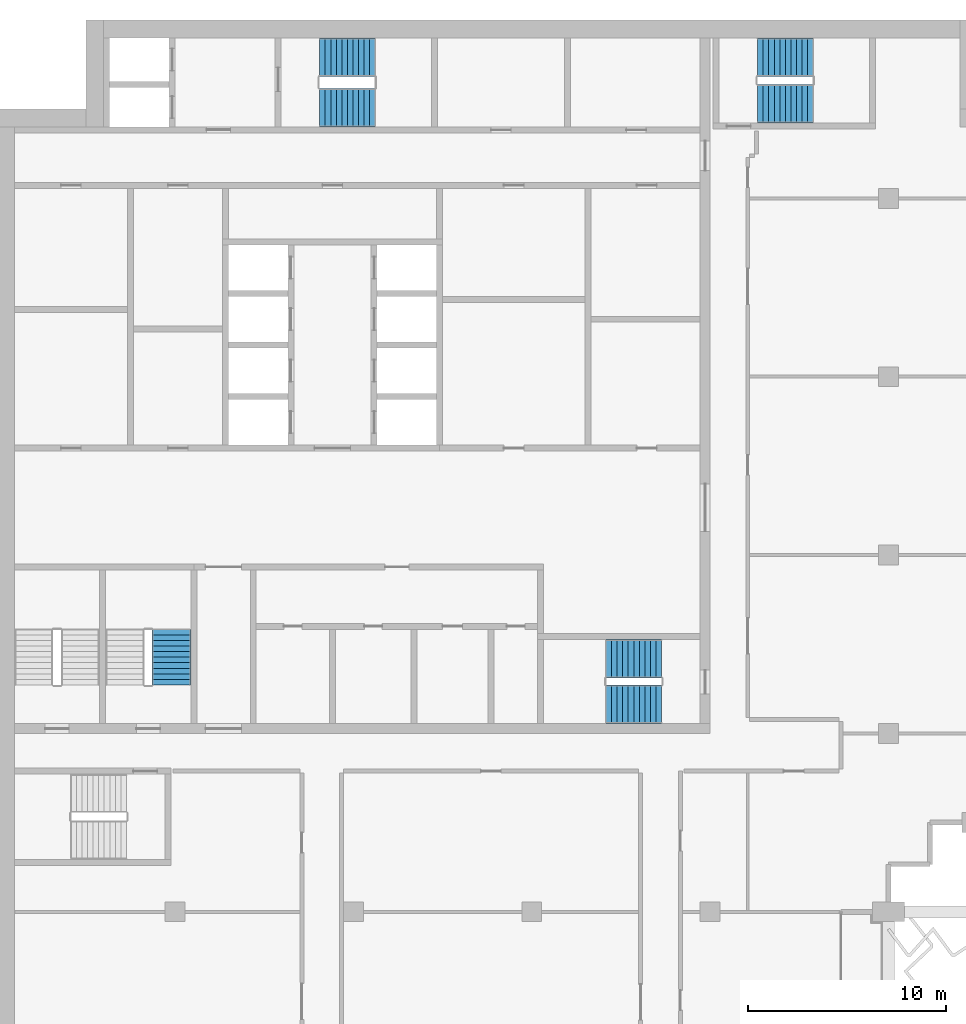
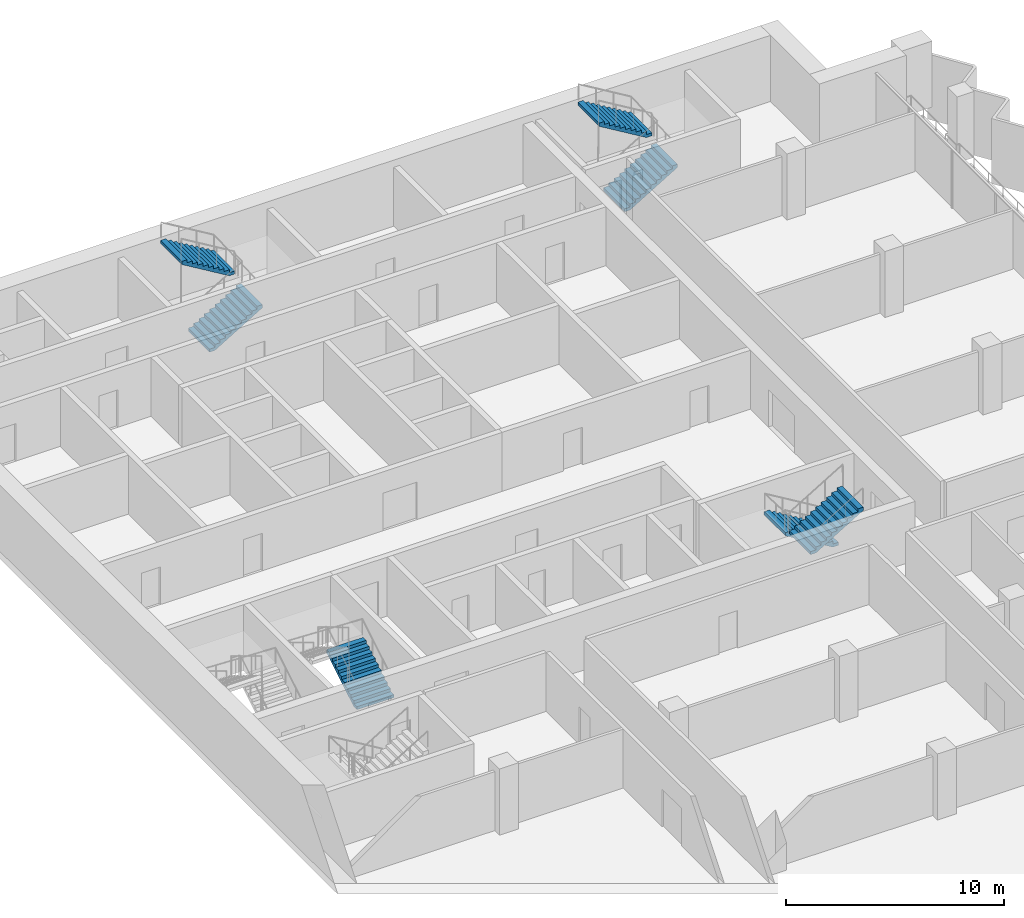
# One storey, part 13 of 17: 7 stair flights, 4 elements without a shape of their own.
"""IFC4 building model written with IfcOpenShell, lengths in metres."""

from ifc_helpers import new_model, si_unit, direction, frame, origin, place, context, subcontext, project, spatial, polyline, outline, extrude, material, type_object, element, aggregate, save


model = new_model("IFC4")

# Units and contexts
model_context = context("Model", 3, precision=1e-05, world=origin(), true_north=direction((0.0, 1.0)))
body_context = subcontext(model_context, "Body", "Model", "MODEL_VIEW")
ifc_project = project(units=[si_unit("LENGTHUNIT", "METRE"), si_unit("AREAUNIT", "SQUARE_METRE"), si_unit("VOLUMEUNIT", "CUBIC_METRE"), si_unit("PLANEANGLEUNIT", "RADIAN"), si_unit("MASSUNIT", "GRAM", prefix="KILO")], contexts=[model_context])

# Site, building, storey
site_placement = place(None, origin())
site = spatial("IfcSite", under=ifc_project, at=site_placement, CompositionType="ELEMENT")
building_placement = place(site_placement, origin())
building = spatial("IfcBuilding", under=site, at=building_placement, Name="Hunhe Ridgeline Campus", CompositionType="ELEMENT")
storey_placement = place(building_placement, frame((0.0, 0.0, 265.10009765625)))
storey = spatial("IfcBuildingStorey", under=building, at=storey_placement, Name="L68", CompositionType="ELEMENT", Elevation=265.10009765625)

# Stair, stair flights
ifc_material = material(Name="Concrete C40", Category="concrete")
stair_type = type_object("IfcStairType", Name="Reinforced concrete dog-leg stair 1950 Concrete C40", PredefinedType="HALF_TURN_STAIR", material=ifc_material)
stair_1_placement = place(storey_placement, origin())
stair_1 = element("IfcStair", 1, at=stair_1_placement, inside=storey, type_object=stair_type, Name="L68 S1", PredefinedType="HALF_TURN_STAIR")
stair_flight_type = type_object("IfcStairFlightType", Name="Reinforced concrete stair flight 1950 Concrete C40", PredefinedType="STRAIGHT", material=ifc_material)
stair_flight_1_placement = place(storey_placement, frame((16.300048828125, 94.574951171875, 0.0), z_axis=(0.0, 0.0, 1.0), x_axis=(1.0, 0.0, 0.0)))
stair_flight_1 = element("IfcStairFlight", 2, at=stair_flight_1_placement, type_object=stair_flight_type, Name="ST1 flight 1", NumberOfRisers=11, NumberOfTreads=10, PredefinedType="STRAIGHT", RiserHeight=0.168181818, TreadLength=0.28, context=body_context, shape_type="SweptSolid", body=[
    extrude(outline(polyline([(0.0, 0.0), (0.0, 0.168212890625), (0.280029296875, 0.168212890625), (0.280029296875, 0.33642578125), (0.56005859375, 0.33642578125), (0.56005859375, 0.504638671875), (0.840087890625, 0.504638671875), (0.840087890625, 0.672607421875), (1.1201171875, 0.672607421875), (1.1201171875, 0.8408203125), (1.39990234375, 0.8408203125), (1.39990234375, 1.009033203125), (1.679931640625, 1.009033203125), (1.679931640625, 1.17724609375), (1.9599609375, 1.17724609375), (1.9599609375, 1.345458984375), (2.239990234375, 1.345458984375), (2.239990234375, 1.513671875), (2.52001953125, 1.513671875), (2.52001953125, 1.681884765625), (2.800048828125, 1.681884765625), (2.800048828125, 1.85009765625), (2.800048828125, 1.5068359375), (0.291015625, 0.0), (0.0, 0.0)])), frame((0.0, 0.97509765625, 0.0), z_axis=(0.0, -1.0, 0.0), x_axis=(1.0, 0.0, 0.0)), (0.0, 0.0, 1.0), 1.949951171875),
    extrude(outline(polyline([(0.030029296875, 0.030029296875), (0.030029296875, 0.13818359375), (0.31005859375, 0.13818359375), (0.31005859375, 0.306396484375), (0.590087890625, 0.306396484375), (0.590087890625, 0.474609375), (0.8701171875, 0.474609375), (0.8701171875, 0.642578125), (1.14990234375, 0.642578125), (1.14990234375, 0.810791015625), (1.429931640625, 0.810791015625), (1.429931640625, 0.97900390625), (1.7099609375, 0.97900390625), (1.7099609375, 1.147216796875), (1.989990234375, 1.147216796875), (1.989990234375, 1.3154296875), (2.27001953125, 1.3154296875), (2.27001953125, 1.483642578125), (2.550048828125, 1.483642578125), (2.550048828125, 1.65185546875), (2.77001953125, 1.65185546875), (2.77001953125, 1.52392578125), (0.28271484375, 0.030029296875), (0.030029296875, 0.030029296875)])), frame((0.0, -0.070068359375, 0.0), z_axis=(0.0, -1.0, 0.0), x_axis=(1.0, 0.0, 0.0)), (0.0, 0.0, 1.0), 0.019775390625),
    extrude(outline(polyline([(0.030029296875, 0.030029296875), (0.030029296875, 0.13818359375), (0.31005859375, 0.13818359375), (0.31005859375, 0.306396484375), (0.590087890625, 0.306396484375), (0.590087890625, 0.474609375), (0.8701171875, 0.474609375), (0.8701171875, 0.642578125), (1.14990234375, 0.642578125), (1.14990234375, 0.810791015625), (1.429931640625, 0.810791015625), (1.429931640625, 0.97900390625), (1.7099609375, 0.97900390625), (1.7099609375, 1.147216796875), (1.989990234375, 1.147216796875), (1.989990234375, 1.3154296875), (2.27001953125, 1.3154296875), (2.27001953125, 1.483642578125), (2.550048828125, 1.483642578125), (2.550048828125, 1.65185546875), (2.77001953125, 1.65185546875), (2.77001953125, 1.52392578125), (0.28271484375, 0.030029296875), (0.030029296875, 0.030029296875)])), frame((0.0, 0.010009765625, 0.0), z_axis=(0.0, -1.0, 0.0), x_axis=(1.0, 0.0, 0.0)), (0.0, 0.0, 1.0), 0.019775390625),
    extrude(outline(polyline([(0.030029296875, 0.030029296875), (0.030029296875, 0.13818359375), (0.31005859375, 0.13818359375), (0.31005859375, 0.306396484375), (0.590087890625, 0.306396484375), (0.590087890625, 0.474609375), (0.8701171875, 0.474609375), (0.8701171875, 0.642578125), (1.14990234375, 0.642578125), (1.14990234375, 0.810791015625), (1.429931640625, 0.810791015625), (1.429931640625, 0.97900390625), (1.7099609375, 0.97900390625), (1.7099609375, 1.147216796875), (1.989990234375, 1.147216796875), (1.989990234375, 1.3154296875), (2.27001953125, 1.3154296875), (2.27001953125, 1.483642578125), (2.550048828125, 1.483642578125), (2.550048828125, 1.65185546875), (2.77001953125, 1.65185546875), (2.77001953125, 1.52392578125), (0.28271484375, 0.030029296875), (0.030029296875, 0.030029296875)])), frame((0.0, 0.090087890625, 0.0), z_axis=(0.0, -1.0, 0.0), x_axis=(1.0, 0.0, 0.0)), (0.0, 0.0, 1.0), 0.019775390625),
])
stair_flight_2_placement = place(storey_placement, frame((19.10009765625, 97.125, 1.849853515625), z_axis=(0.0, 0.0, 1.0), x_axis=(-1.0, 0.0, 0.0)))
stair_flight_2 = element("IfcStairFlight", 3, at=stair_flight_2_placement, type_object=stair_flight_type, Name="ST1 flight 2", NumberOfRisers=11, NumberOfTreads=10, PredefinedType="STRAIGHT", RiserHeight=0.168181818, TreadLength=0.28, context=body_context, shape_type="SweptSolid", body=[
    extrude(outline(polyline([(0.0, 0.0), (0.0, 0.168212890625), (0.280029296875, 0.168212890625), (0.280029296875, 0.33642578125), (0.56005859375, 0.33642578125), (0.56005859375, 0.504638671875), (0.840087890625, 0.504638671875), (0.840087890625, 0.672607421875), (1.1201171875, 0.672607421875), (1.1201171875, 0.8408203125), (1.39990234375, 0.8408203125), (1.39990234375, 1.009033203125), (1.679931640625, 1.009033203125), (1.679931640625, 1.17724609375), (1.9599609375, 1.17724609375), (1.9599609375, 1.345458984375), (2.239990234375, 1.345458984375), (2.239990234375, 1.513671875), (2.52001953125, 1.513671875), (2.52001953125, 1.681884765625), (2.800048828125, 1.681884765625), (2.800048828125, 1.85009765625), (2.800048828125, 1.5068359375), (0.291015625, 0.0), (0.0, 0.0)])), frame((0.0, 0.97509765625, 0.0), z_axis=(0.0, -1.0, 0.0), x_axis=(1.0, 0.0, 0.0)), (0.0, 0.0, 1.0), 1.949951171875),
    extrude(outline(polyline([(0.030029296875, 0.030029296875), (0.030029296875, 0.13818359375), (0.31005859375, 0.13818359375), (0.31005859375, 0.306396484375), (0.590087890625, 0.306396484375), (0.590087890625, 0.474609375), (0.8701171875, 0.474609375), (0.8701171875, 0.642578125), (1.14990234375, 0.642578125), (1.14990234375, 0.810791015625), (1.429931640625, 0.810791015625), (1.429931640625, 0.97900390625), (1.7099609375, 0.97900390625), (1.7099609375, 1.147216796875), (1.989990234375, 1.147216796875), (1.989990234375, 1.3154296875), (2.27001953125, 1.3154296875), (2.27001953125, 1.483642578125), (2.550048828125, 1.483642578125), (2.550048828125, 1.65185546875), (2.77001953125, 1.65185546875), (2.77001953125, 1.52392578125), (0.28271484375, 0.030029296875), (0.030029296875, 0.030029296875)])), frame((0.0, -0.070068359375, 0.0), z_axis=(0.0, -1.0, 0.0), x_axis=(1.0, 0.0, 0.0)), (0.0, 0.0, 1.0), 0.019775390625),
    extrude(outline(polyline([(0.030029296875, 0.030029296875), (0.030029296875, 0.13818359375), (0.31005859375, 0.13818359375), (0.31005859375, 0.306396484375), (0.590087890625, 0.306396484375), (0.590087890625, 0.474609375), (0.8701171875, 0.474609375), (0.8701171875, 0.642578125), (1.14990234375, 0.642578125), (1.14990234375, 0.810791015625), (1.429931640625, 0.810791015625), (1.429931640625, 0.97900390625), (1.7099609375, 0.97900390625), (1.7099609375, 1.147216796875), (1.989990234375, 1.147216796875), (1.989990234375, 1.3154296875), (2.27001953125, 1.3154296875), (2.27001953125, 1.483642578125), (2.550048828125, 1.483642578125), (2.550048828125, 1.65185546875), (2.77001953125, 1.65185546875), (2.77001953125, 1.52392578125), (0.28271484375, 0.030029296875), (0.030029296875, 0.030029296875)])), frame((0.0, 0.010009765625, 0.0), z_axis=(0.0, -1.0, 0.0), x_axis=(1.0, 0.0, 0.0)), (0.0, 0.0, 1.0), 0.019775390625),
    extrude(outline(polyline([(0.030029296875, 0.030029296875), (0.030029296875, 0.13818359375), (0.31005859375, 0.13818359375), (0.31005859375, 0.306396484375), (0.590087890625, 0.306396484375), (0.590087890625, 0.474609375), (0.8701171875, 0.474609375), (0.8701171875, 0.642578125), (1.14990234375, 0.642578125), (1.14990234375, 0.810791015625), (1.429931640625, 0.810791015625), (1.429931640625, 0.97900390625), (1.7099609375, 0.97900390625), (1.7099609375, 1.147216796875), (1.989990234375, 1.147216796875), (1.989990234375, 1.3154296875), (2.27001953125, 1.3154296875), (2.27001953125, 1.483642578125), (2.550048828125, 1.483642578125), (2.550048828125, 1.65185546875), (2.77001953125, 1.65185546875), (2.77001953125, 1.52392578125), (0.28271484375, 0.030029296875), (0.030029296875, 0.030029296875)])), frame((0.0, 0.090087890625, 0.0), z_axis=(0.0, -1.0, 0.0), x_axis=(1.0, 0.0, 0.0)), (0.0, 0.0, 1.0), 0.019775390625),
])
aggregate(stair_1, [stair_flight_1, stair_flight_2])

stair_2_placement = place(storey_placement, origin())
stair_2 = element("IfcStair", 4, at=stair_2_placement, inside=storey, type_object=stair_type, Name="L68 S2", PredefinedType="HALF_TURN_STAIR")
stair_flight_3_placement = place(storey_placement, frame((33.550048828125, 66.77490234375, 0.0), z_axis=(0.0, 0.0, 1.0), x_axis=(-1.0, 0.0, 0.0)))
stair_flight_3 = element("IfcStairFlight", 5, at=stair_flight_3_placement, type_object=stair_flight_type, Name="ST2 flight 1", NumberOfRisers=11, NumberOfTreads=10, PredefinedType="STRAIGHT", RiserHeight=0.168181818, TreadLength=0.28, context=body_context, shape_type="SweptSolid", body=[
    extrude(outline(polyline([(0.0, 0.0), (0.0, 0.168212890625), (0.280029296875, 0.168212890625), (0.280029296875, 0.33642578125), (0.56005859375, 0.33642578125), (0.56005859375, 0.504638671875), (0.840087890625, 0.504638671875), (0.840087890625, 0.672607421875), (1.1201171875, 0.672607421875), (1.1201171875, 0.8408203125), (1.39990234375, 0.8408203125), (1.39990234375, 1.009033203125), (1.679931640625, 1.009033203125), (1.679931640625, 1.17724609375), (1.9599609375, 1.17724609375), (1.9599609375, 1.345458984375), (2.239990234375, 1.345458984375), (2.239990234375, 1.513671875), (2.52001953125, 1.513671875), (2.52001953125, 1.681884765625), (2.800048828125, 1.681884765625), (2.800048828125, 1.85009765625), (2.800048828125, 1.5068359375), (0.291015625, 0.0), (0.0, 0.0)])), frame((0.0, 0.97509765625, 0.0), z_axis=(0.0, -1.0, 0.0), x_axis=(1.0, 0.0, 0.0)), (0.0, 0.0, 1.0), 1.949951171875),
    extrude(outline(polyline([(0.030029296875, 0.030029296875), (0.030029296875, 0.13818359375), (0.31005859375, 0.13818359375), (0.31005859375, 0.306396484375), (0.590087890625, 0.306396484375), (0.590087890625, 0.474609375), (0.8701171875, 0.474609375), (0.8701171875, 0.642578125), (1.14990234375, 0.642578125), (1.14990234375, 0.810791015625), (1.429931640625, 0.810791015625), (1.429931640625, 0.97900390625), (1.7099609375, 0.97900390625), (1.7099609375, 1.147216796875), (1.989990234375, 1.147216796875), (1.989990234375, 1.3154296875), (2.27001953125, 1.3154296875), (2.27001953125, 1.483642578125), (2.550048828125, 1.483642578125), (2.550048828125, 1.65185546875), (2.77001953125, 1.65185546875), (2.77001953125, 1.52392578125), (0.28271484375, 0.030029296875), (0.030029296875, 0.030029296875)])), frame((0.0, -0.070068359375, 0.0), z_axis=(0.0, -1.0, 0.0), x_axis=(1.0, 0.0, 0.0)), (0.0, 0.0, 1.0), 0.019775390625),
    extrude(outline(polyline([(0.030029296875, 0.030029296875), (0.030029296875, 0.13818359375), (0.31005859375, 0.13818359375), (0.31005859375, 0.306396484375), (0.590087890625, 0.306396484375), (0.590087890625, 0.474609375), (0.8701171875, 0.474609375), (0.8701171875, 0.642578125), (1.14990234375, 0.642578125), (1.14990234375, 0.810791015625), (1.429931640625, 0.810791015625), (1.429931640625, 0.97900390625), (1.7099609375, 0.97900390625), (1.7099609375, 1.147216796875), (1.989990234375, 1.147216796875), (1.989990234375, 1.3154296875), (2.27001953125, 1.3154296875), (2.27001953125, 1.483642578125), (2.550048828125, 1.483642578125), (2.550048828125, 1.65185546875), (2.77001953125, 1.65185546875), (2.77001953125, 1.52392578125), (0.28271484375, 0.030029296875), (0.030029296875, 0.030029296875)])), frame((0.0, 0.010009765625, 0.0), z_axis=(0.0, -1.0, 0.0), x_axis=(1.0, 0.0, 0.0)), (0.0, 0.0, 1.0), 0.019775390625),
    extrude(outline(polyline([(0.030029296875, 0.030029296875), (0.030029296875, 0.13818359375), (0.31005859375, 0.13818359375), (0.31005859375, 0.306396484375), (0.590087890625, 0.306396484375), (0.590087890625, 0.474609375), (0.8701171875, 0.474609375), (0.8701171875, 0.642578125), (1.14990234375, 0.642578125), (1.14990234375, 0.810791015625), (1.429931640625, 0.810791015625), (1.429931640625, 0.97900390625), (1.7099609375, 0.97900390625), (1.7099609375, 1.147216796875), (1.989990234375, 1.147216796875), (1.989990234375, 1.3154296875), (2.27001953125, 1.3154296875), (2.27001953125, 1.483642578125), (2.550048828125, 1.483642578125), (2.550048828125, 1.65185546875), (2.77001953125, 1.65185546875), (2.77001953125, 1.52392578125), (0.28271484375, 0.030029296875), (0.030029296875, 0.030029296875)])), frame((0.0, 0.090087890625, 0.0), z_axis=(0.0, -1.0, 0.0), x_axis=(1.0, 0.0, 0.0)), (0.0, 0.0, 1.0), 0.019775390625),
])
stair_flight_4_placement = place(storey_placement, frame((30.75, 64.47509765625, 1.849853515625), z_axis=(0.0, 0.0, 1.0), x_axis=(1.0, 0.0, 0.0)))
stair_flight_4 = element("IfcStairFlight", 6, at=stair_flight_4_placement, type_object=stair_flight_type, Name="ST2 flight 2", NumberOfRisers=11, NumberOfTreads=10, PredefinedType="STRAIGHT", RiserHeight=0.168181818, TreadLength=0.28, context=body_context, shape_type="SweptSolid", body=[
    extrude(outline(polyline([(0.0, 0.0), (0.0, 0.168212890625), (0.280029296875, 0.168212890625), (0.280029296875, 0.33642578125), (0.56005859375, 0.33642578125), (0.56005859375, 0.504638671875), (0.840087890625, 0.504638671875), (0.840087890625, 0.672607421875), (1.1201171875, 0.672607421875), (1.1201171875, 0.8408203125), (1.39990234375, 0.8408203125), (1.39990234375, 1.009033203125), (1.679931640625, 1.009033203125), (1.679931640625, 1.17724609375), (1.9599609375, 1.17724609375), (1.9599609375, 1.345458984375), (2.239990234375, 1.345458984375), (2.239990234375, 1.513671875), (2.52001953125, 1.513671875), (2.52001953125, 1.681884765625), (2.800048828125, 1.681884765625), (2.800048828125, 1.85009765625), (2.800048828125, 1.5068359375), (0.291015625, 0.0), (0.0, 0.0)])), frame((0.0, 0.97509765625, 0.0), z_axis=(0.0, -1.0, 0.0), x_axis=(1.0, 0.0, 0.0)), (0.0, 0.0, 1.0), 1.949951171875),
    extrude(outline(polyline([(0.030029296875, 0.030029296875), (0.030029296875, 0.13818359375), (0.31005859375, 0.13818359375), (0.31005859375, 0.306396484375), (0.590087890625, 0.306396484375), (0.590087890625, 0.474609375), (0.8701171875, 0.474609375), (0.8701171875, 0.642578125), (1.14990234375, 0.642578125), (1.14990234375, 0.810791015625), (1.429931640625, 0.810791015625), (1.429931640625, 0.97900390625), (1.7099609375, 0.97900390625), (1.7099609375, 1.147216796875), (1.989990234375, 1.147216796875), (1.989990234375, 1.3154296875), (2.27001953125, 1.3154296875), (2.27001953125, 1.483642578125), (2.550048828125, 1.483642578125), (2.550048828125, 1.65185546875), (2.77001953125, 1.65185546875), (2.77001953125, 1.52392578125), (0.28271484375, 0.030029296875), (0.030029296875, 0.030029296875)])), frame((0.0, -0.070068359375, 0.0), z_axis=(0.0, -1.0, 0.0), x_axis=(1.0, 0.0, 0.0)), (0.0, 0.0, 1.0), 0.019775390625),
    extrude(outline(polyline([(0.030029296875, 0.030029296875), (0.030029296875, 0.13818359375), (0.31005859375, 0.13818359375), (0.31005859375, 0.306396484375), (0.590087890625, 0.306396484375), (0.590087890625, 0.474609375), (0.8701171875, 0.474609375), (0.8701171875, 0.642578125), (1.14990234375, 0.642578125), (1.14990234375, 0.810791015625), (1.429931640625, 0.810791015625), (1.429931640625, 0.97900390625), (1.7099609375, 0.97900390625), (1.7099609375, 1.147216796875), (1.989990234375, 1.147216796875), (1.989990234375, 1.3154296875), (2.27001953125, 1.3154296875), (2.27001953125, 1.483642578125), (2.550048828125, 1.483642578125), (2.550048828125, 1.65185546875), (2.77001953125, 1.65185546875), (2.77001953125, 1.52392578125), (0.28271484375, 0.030029296875), (0.030029296875, 0.030029296875)])), frame((0.0, 0.010009765625, 0.0), z_axis=(0.0, -1.0, 0.0), x_axis=(1.0, 0.0, 0.0)), (0.0, 0.0, 1.0), 0.019775390625),
    extrude(outline(polyline([(0.030029296875, 0.030029296875), (0.030029296875, 0.13818359375), (0.31005859375, 0.13818359375), (0.31005859375, 0.306396484375), (0.590087890625, 0.306396484375), (0.590087890625, 0.474609375), (0.8701171875, 0.474609375), (0.8701171875, 0.642578125), (1.14990234375, 0.642578125), (1.14990234375, 0.810791015625), (1.429931640625, 0.810791015625), (1.429931640625, 0.97900390625), (1.7099609375, 0.97900390625), (1.7099609375, 1.147216796875), (1.989990234375, 1.147216796875), (1.989990234375, 1.3154296875), (2.27001953125, 1.3154296875), (2.27001953125, 1.483642578125), (2.550048828125, 1.483642578125), (2.550048828125, 1.65185546875), (2.77001953125, 1.65185546875), (2.77001953125, 1.52392578125), (0.28271484375, 0.030029296875), (0.030029296875, 0.030029296875)])), frame((0.0, 0.090087890625, 0.0), z_axis=(0.0, -1.0, 0.0), x_axis=(1.0, 0.0, 0.0)), (0.0, 0.0, 1.0), 0.019775390625),
])
aggregate(stair_2, [stair_flight_3, stair_flight_4])

# Stair, stair flight
stair_3_placement = place(storey_placement, origin())
stair_3 = element("IfcStair", 7, at=stair_3_placement, inside=storey, type_object=stair_type, Name="L68 S4", PredefinedType="HALF_TURN_STAIR")
stair_flight_5_placement = place(storey_placement, frame((8.824951171875, 65.449951171875, 0.0), z_axis=(0.0, 0.0, 1.0), x_axis=(0.0, 1.0, 0.0)))
stair_flight_5 = element("IfcStairFlight", 8, at=stair_flight_5_placement, type_object=stair_flight_type, Name="ST4 flight 1", NumberOfRisers=11, NumberOfTreads=10, PredefinedType="STRAIGHT", RiserHeight=0.168181818, TreadLength=0.28, context=body_context, shape_type="SweptSolid", body=[
    extrude(outline(polyline([(0.0, 0.0), (0.0, 0.168212890625), (0.280029296875, 0.168212890625), (0.280029296875, 0.33642578125), (0.56005859375, 0.33642578125), (0.56005859375, 0.504638671875), (0.840087890625, 0.504638671875), (0.840087890625, 0.672607421875), (1.1201171875, 0.672607421875), (1.1201171875, 0.8408203125), (1.39990234375, 0.8408203125), (1.39990234375, 1.009033203125), (1.679931640625, 1.009033203125), (1.679931640625, 1.17724609375), (1.9599609375, 1.17724609375), (1.9599609375, 1.345458984375), (2.239990234375, 1.345458984375), (2.239990234375, 1.513671875), (2.52001953125, 1.513671875), (2.52001953125, 1.681884765625), (2.800048828125, 1.681884765625), (2.800048828125, 1.85009765625), (2.800048828125, 1.5068359375), (0.291015625, 0.0), (0.0, 0.0)])), frame((0.0, 0.97509765625, 0.0), z_axis=(0.0, -1.0, 0.0), x_axis=(1.0, 0.0, 0.0)), (0.0, 0.0, 1.0), 1.949951171875),
    extrude(outline(polyline([(0.030029296875, 0.030029296875), (0.030029296875, 0.13818359375), (0.31005859375, 0.13818359375), (0.31005859375, 0.306396484375), (0.590087890625, 0.306396484375), (0.590087890625, 0.474609375), (0.8701171875, 0.474609375), (0.8701171875, 0.642578125), (1.14990234375, 0.642578125), (1.14990234375, 0.810791015625), (1.429931640625, 0.810791015625), (1.429931640625, 0.97900390625), (1.7099609375, 0.97900390625), (1.7099609375, 1.147216796875), (1.989990234375, 1.147216796875), (1.989990234375, 1.3154296875), (2.27001953125, 1.3154296875), (2.27001953125, 1.483642578125), (2.550048828125, 1.483642578125), (2.550048828125, 1.65185546875), (2.77001953125, 1.65185546875), (2.77001953125, 1.52392578125), (0.28271484375, 0.030029296875), (0.030029296875, 0.030029296875)])), frame((0.0, -0.070068359375, 0.0), z_axis=(0.0, -1.0, 0.0), x_axis=(1.0, 0.0, 0.0)), (0.0, 0.0, 1.0), 0.019775390625),
    extrude(outline(polyline([(0.030029296875, 0.030029296875), (0.030029296875, 0.13818359375), (0.31005859375, 0.13818359375), (0.31005859375, 0.306396484375), (0.590087890625, 0.306396484375), (0.590087890625, 0.474609375), (0.8701171875, 0.474609375), (0.8701171875, 0.642578125), (1.14990234375, 0.642578125), (1.14990234375, 0.810791015625), (1.429931640625, 0.810791015625), (1.429931640625, 0.97900390625), (1.7099609375, 0.97900390625), (1.7099609375, 1.147216796875), (1.989990234375, 1.147216796875), (1.989990234375, 1.3154296875), (2.27001953125, 1.3154296875), (2.27001953125, 1.483642578125), (2.550048828125, 1.483642578125), (2.550048828125, 1.65185546875), (2.77001953125, 1.65185546875), (2.77001953125, 1.52392578125), (0.28271484375, 0.030029296875), (0.030029296875, 0.030029296875)])), frame((0.0, 0.010009765625, 0.0), z_axis=(0.0, -1.0, 0.0), x_axis=(1.0, 0.0, 0.0)), (0.0, 0.0, 1.0), 0.019775390625),
    extrude(outline(polyline([(0.030029296875, 0.030029296875), (0.030029296875, 0.13818359375), (0.31005859375, 0.13818359375), (0.31005859375, 0.306396484375), (0.590087890625, 0.306396484375), (0.590087890625, 0.474609375), (0.8701171875, 0.474609375), (0.8701171875, 0.642578125), (1.14990234375, 0.642578125), (1.14990234375, 0.810791015625), (1.429931640625, 0.810791015625), (1.429931640625, 0.97900390625), (1.7099609375, 0.97900390625), (1.7099609375, 1.147216796875), (1.989990234375, 1.147216796875), (1.989990234375, 1.3154296875), (2.27001953125, 1.3154296875), (2.27001953125, 1.483642578125), (2.550048828125, 1.483642578125), (2.550048828125, 1.65185546875), (2.77001953125, 1.65185546875), (2.77001953125, 1.52392578125), (0.28271484375, 0.030029296875), (0.030029296875, 0.030029296875)])), frame((0.0, 0.090087890625, 0.0), z_axis=(0.0, -1.0, 0.0), x_axis=(1.0, 0.0, 0.0)), (0.0, 0.0, 1.0), 0.019775390625),
])
aggregate(stair_3, [stair_flight_5])

# Stair, stair flights
stair_4_placement = place(storey_placement, origin())
stair_4 = element("IfcStair", 9, at=stair_4_placement, inside=storey, type_object=stair_type, Name="L68 E1", PredefinedType="HALF_TURN_STAIR")
stair_flight_6_placement = place(storey_placement, frame((38.39990234375, 94.77490234375, 0.0), z_axis=(0.0, 0.0, 1.0), x_axis=(1.0, 0.0, 0.0)))
stair_flight_6 = element("IfcStairFlight", 10, at=stair_flight_6_placement, type_object=stair_flight_type, Name="ST5 flight 1", NumberOfRisers=11, NumberOfTreads=10, PredefinedType="STRAIGHT", RiserHeight=0.168181818, TreadLength=0.28, context=body_context, shape_type="SweptSolid", body=[
    extrude(outline(polyline([(0.0, 0.0), (0.0, 0.168212890625), (0.280029296875, 0.168212890625), (0.280029296875, 0.33642578125), (0.56005859375, 0.33642578125), (0.56005859375, 0.504638671875), (0.840087890625, 0.504638671875), (0.840087890625, 0.672607421875), (1.1201171875, 0.672607421875), (1.1201171875, 0.8408203125), (1.39990234375, 0.8408203125), (1.39990234375, 1.009033203125), (1.679931640625, 1.009033203125), (1.679931640625, 1.17724609375), (1.9599609375, 1.17724609375), (1.9599609375, 1.345458984375), (2.239990234375, 1.345458984375), (2.239990234375, 1.513671875), (2.52001953125, 1.513671875), (2.52001953125, 1.681884765625), (2.800048828125, 1.681884765625), (2.800048828125, 1.85009765625), (2.800048828125, 1.5068359375), (0.291015625, 0.0), (0.0, 0.0)])), frame((0.0, 0.97509765625, 0.0), z_axis=(0.0, -1.0, 0.0), x_axis=(1.0, 0.0, 0.0)), (0.0, 0.0, 1.0), 1.949951171875),
    extrude(outline(polyline([(0.030029296875, 0.030029296875), (0.030029296875, 0.13818359375), (0.31005859375, 0.13818359375), (0.31005859375, 0.306396484375), (0.590087890625, 0.306396484375), (0.590087890625, 0.474609375), (0.8701171875, 0.474609375), (0.8701171875, 0.642578125), (1.14990234375, 0.642578125), (1.14990234375, 0.810791015625), (1.429931640625, 0.810791015625), (1.429931640625, 0.97900390625), (1.7099609375, 0.97900390625), (1.7099609375, 1.147216796875), (1.989990234375, 1.147216796875), (1.989990234375, 1.3154296875), (2.27001953125, 1.3154296875), (2.27001953125, 1.483642578125), (2.550048828125, 1.483642578125), (2.550048828125, 1.65185546875), (2.77001953125, 1.65185546875), (2.77001953125, 1.52392578125), (0.28271484375, 0.030029296875), (0.030029296875, 0.030029296875)])), frame((0.0, -0.070068359375, 0.0), z_axis=(0.0, -1.0, 0.0), x_axis=(1.0, 0.0, 0.0)), (0.0, 0.0, 1.0), 0.019775390625),
    extrude(outline(polyline([(0.030029296875, 0.030029296875), (0.030029296875, 0.13818359375), (0.31005859375, 0.13818359375), (0.31005859375, 0.306396484375), (0.590087890625, 0.306396484375), (0.590087890625, 0.474609375), (0.8701171875, 0.474609375), (0.8701171875, 0.642578125), (1.14990234375, 0.642578125), (1.14990234375, 0.810791015625), (1.429931640625, 0.810791015625), (1.429931640625, 0.97900390625), (1.7099609375, 0.97900390625), (1.7099609375, 1.147216796875), (1.989990234375, 1.147216796875), (1.989990234375, 1.3154296875), (2.27001953125, 1.3154296875), (2.27001953125, 1.483642578125), (2.550048828125, 1.483642578125), (2.550048828125, 1.65185546875), (2.77001953125, 1.65185546875), (2.77001953125, 1.52392578125), (0.28271484375, 0.030029296875), (0.030029296875, 0.030029296875)])), frame((0.0, 0.010009765625, 0.0), z_axis=(0.0, -1.0, 0.0), x_axis=(1.0, 0.0, 0.0)), (0.0, 0.0, 1.0), 0.019775390625),
    extrude(outline(polyline([(0.030029296875, 0.030029296875), (0.030029296875, 0.13818359375), (0.31005859375, 0.13818359375), (0.31005859375, 0.306396484375), (0.590087890625, 0.306396484375), (0.590087890625, 0.474609375), (0.8701171875, 0.474609375), (0.8701171875, 0.642578125), (1.14990234375, 0.642578125), (1.14990234375, 0.810791015625), (1.429931640625, 0.810791015625), (1.429931640625, 0.97900390625), (1.7099609375, 0.97900390625), (1.7099609375, 1.147216796875), (1.989990234375, 1.147216796875), (1.989990234375, 1.3154296875), (2.27001953125, 1.3154296875), (2.27001953125, 1.483642578125), (2.550048828125, 1.483642578125), (2.550048828125, 1.65185546875), (2.77001953125, 1.65185546875), (2.77001953125, 1.52392578125), (0.28271484375, 0.030029296875), (0.030029296875, 0.030029296875)])), frame((0.0, 0.090087890625, 0.0), z_axis=(0.0, -1.0, 0.0), x_axis=(1.0, 0.0, 0.0)), (0.0, 0.0, 1.0), 0.019775390625),
])
stair_flight_7_placement = place(storey_placement, frame((41.199951171875, 97.125, 1.849853515625), z_axis=(0.0, 0.0, 1.0), x_axis=(-1.0, 0.0, 0.0)))
stair_flight_7 = element("IfcStairFlight", 11, at=stair_flight_7_placement, type_object=stair_flight_type, Name="ST5 flight 2", NumberOfRisers=11, NumberOfTreads=10, PredefinedType="STRAIGHT", RiserHeight=0.168181818, TreadLength=0.28, context=body_context, shape_type="SweptSolid", body=[
    extrude(outline(polyline([(0.0, 0.0), (0.0, 0.168212890625), (0.280029296875, 0.168212890625), (0.280029296875, 0.33642578125), (0.56005859375, 0.33642578125), (0.56005859375, 0.504638671875), (0.840087890625, 0.504638671875), (0.840087890625, 0.672607421875), (1.1201171875, 0.672607421875), (1.1201171875, 0.8408203125), (1.39990234375, 0.8408203125), (1.39990234375, 1.009033203125), (1.679931640625, 1.009033203125), (1.679931640625, 1.17724609375), (1.9599609375, 1.17724609375), (1.9599609375, 1.345458984375), (2.239990234375, 1.345458984375), (2.239990234375, 1.513671875), (2.52001953125, 1.513671875), (2.52001953125, 1.681884765625), (2.800048828125, 1.681884765625), (2.800048828125, 1.85009765625), (2.800048828125, 1.5068359375), (0.291015625, 0.0), (0.0, 0.0)])), frame((0.0, 0.97509765625, 0.0), z_axis=(0.0, -1.0, 0.0), x_axis=(1.0, 0.0, 0.0)), (0.0, 0.0, 1.0), 1.949951171875),
    extrude(outline(polyline([(0.030029296875, 0.030029296875), (0.030029296875, 0.13818359375), (0.31005859375, 0.13818359375), (0.31005859375, 0.306396484375), (0.590087890625, 0.306396484375), (0.590087890625, 0.474609375), (0.8701171875, 0.474609375), (0.8701171875, 0.642578125), (1.14990234375, 0.642578125), (1.14990234375, 0.810791015625), (1.429931640625, 0.810791015625), (1.429931640625, 0.97900390625), (1.7099609375, 0.97900390625), (1.7099609375, 1.147216796875), (1.989990234375, 1.147216796875), (1.989990234375, 1.3154296875), (2.27001953125, 1.3154296875), (2.27001953125, 1.483642578125), (2.550048828125, 1.483642578125), (2.550048828125, 1.65185546875), (2.77001953125, 1.65185546875), (2.77001953125, 1.52392578125), (0.28271484375, 0.030029296875), (0.030029296875, 0.030029296875)])), frame((0.0, -0.070068359375, 0.0), z_axis=(0.0, -1.0, 0.0), x_axis=(1.0, 0.0, 0.0)), (0.0, 0.0, 1.0), 0.019775390625),
    extrude(outline(polyline([(0.030029296875, 0.030029296875), (0.030029296875, 0.13818359375), (0.31005859375, 0.13818359375), (0.31005859375, 0.306396484375), (0.590087890625, 0.306396484375), (0.590087890625, 0.474609375), (0.8701171875, 0.474609375), (0.8701171875, 0.642578125), (1.14990234375, 0.642578125), (1.14990234375, 0.810791015625), (1.429931640625, 0.810791015625), (1.429931640625, 0.97900390625), (1.7099609375, 0.97900390625), (1.7099609375, 1.147216796875), (1.989990234375, 1.147216796875), (1.989990234375, 1.3154296875), (2.27001953125, 1.3154296875), (2.27001953125, 1.483642578125), (2.550048828125, 1.483642578125), (2.550048828125, 1.65185546875), (2.77001953125, 1.65185546875), (2.77001953125, 1.52392578125), (0.28271484375, 0.030029296875), (0.030029296875, 0.030029296875)])), frame((0.0, 0.010009765625, 0.0), z_axis=(0.0, -1.0, 0.0), x_axis=(1.0, 0.0, 0.0)), (0.0, 0.0, 1.0), 0.019775390625),
    extrude(outline(polyline([(0.030029296875, 0.030029296875), (0.030029296875, 0.13818359375), (0.31005859375, 0.13818359375), (0.31005859375, 0.306396484375), (0.590087890625, 0.306396484375), (0.590087890625, 0.474609375), (0.8701171875, 0.474609375), (0.8701171875, 0.642578125), (1.14990234375, 0.642578125), (1.14990234375, 0.810791015625), (1.429931640625, 0.810791015625), (1.429931640625, 0.97900390625), (1.7099609375, 0.97900390625), (1.7099609375, 1.147216796875), (1.989990234375, 1.147216796875), (1.989990234375, 1.3154296875), (2.27001953125, 1.3154296875), (2.27001953125, 1.483642578125), (2.550048828125, 1.483642578125), (2.550048828125, 1.65185546875), (2.77001953125, 1.65185546875), (2.77001953125, 1.52392578125), (0.28271484375, 0.030029296875), (0.030029296875, 0.030029296875)])), frame((0.0, 0.090087890625, 0.0), z_axis=(0.0, -1.0, 0.0), x_axis=(1.0, 0.0, 0.0)), (0.0, 0.0, 1.0), 0.019775390625),
])
aggregate(stair_4, [stair_flight_6, stair_flight_7])

save(model, "model.ifc")
